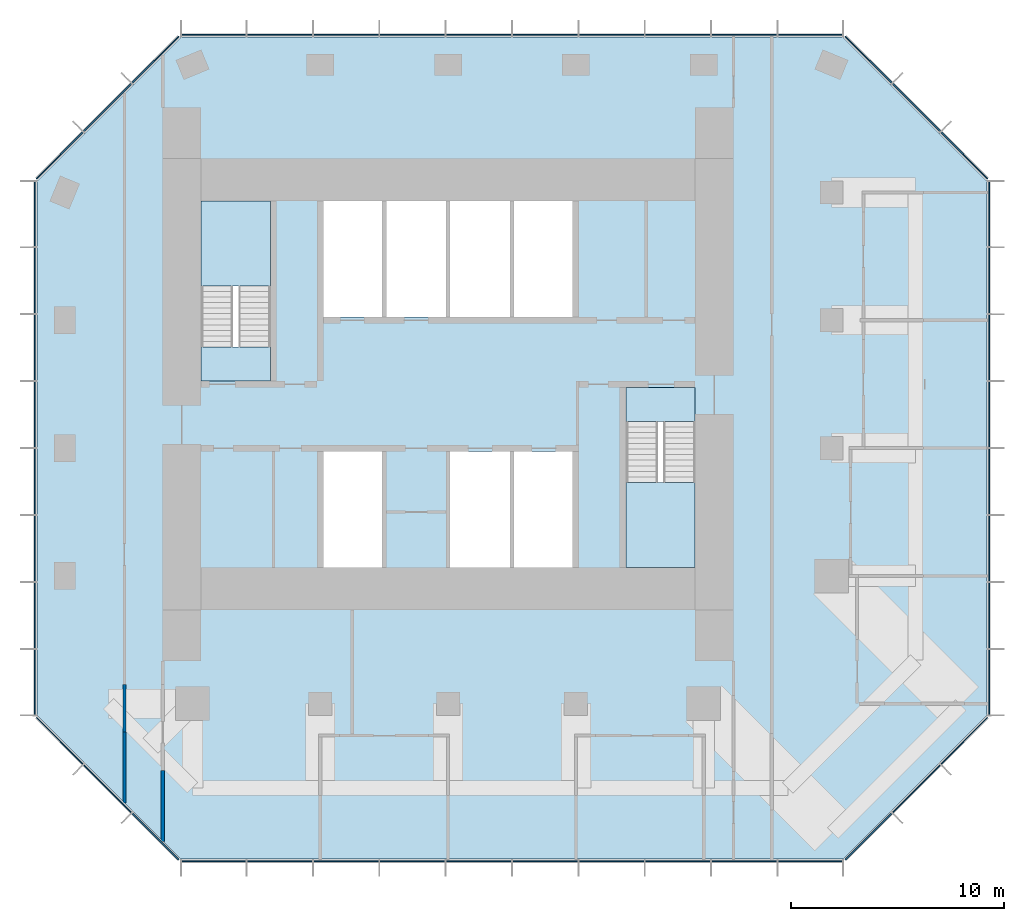
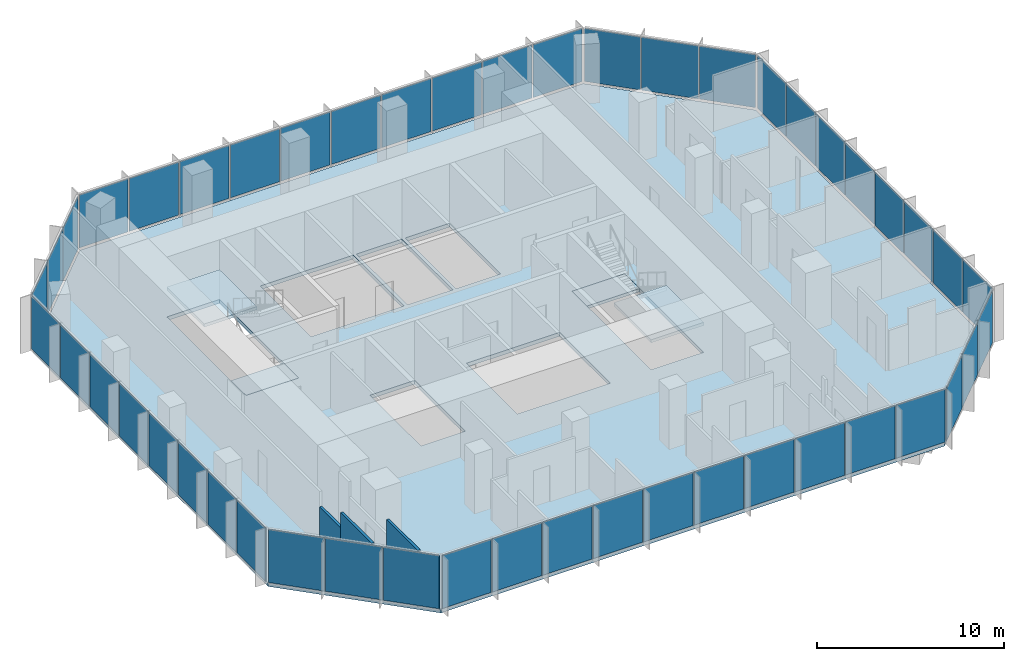
# One storey, part 7 of 11: 48 plates, 5 slabs, 3 walls, 10 elements without a shape of their own.
"""IFC4 building model written with IfcOpenShell, lengths in metres."""

from ifc_helpers import new_model, si_unit, direction, frame, frame_2d, origin, origin_2d, place, context, subcontext, project, spatial, polyline, rectangle, outline, extrude, material, layer, layer_set, type_object, element, aggregate, save


model = new_model("IFC4")

# Units and contexts
model_context = context("Model", 3, precision=1e-05, world=origin(), true_north=direction((0.0, 1.0)))
body_context = subcontext(model_context, "Body", "Model", "MODEL_VIEW")
ifc_project = project(units=[si_unit("LENGTHUNIT", "METRE"), si_unit("AREAUNIT", "SQUARE_METRE"), si_unit("VOLUMEUNIT", "CUBIC_METRE"), si_unit("PLANEANGLEUNIT", "RADIAN"), si_unit("MASSUNIT", "GRAM", prefix="KILO")], contexts=[model_context])

# Site, building, storey
site_placement = place(None, origin())
site = spatial("IfcSite", under=ifc_project, at=site_placement, CompositionType="ELEMENT")
building_placement = place(site_placement, origin())
building = spatial("IfcBuilding", under=site, at=building_placement, Name="Highveld Stack Headquarters", CompositionType="ELEMENT")
storey_placement = place(building_placement, frame((0.0, 0.0, 291.800048828125)))
storey = spatial("IfcBuildingStorey", under=building, at=storey_placement, Name="L72", CompositionType="ELEMENT", Elevation=291.800048828125)

# Curtain wall, plates
ifc_material_1 = material(Name="Aluminium bronze anodised", Category="aluminium")
ifc_layer_1 = layer(ifc_material_1, 0.199951171875)
ifc_layer_set_1 = layer_set([ifc_layer_1], Name="Aluminium bronze anodised")
curtain_wall_type = type_object("IfcCurtainWallType", Name="CW5 EXECUTIVE UNITISED CURTAIN WALL", PredefinedType="NOTDEFINED", material=ifc_layer_set_1)
curtain_wall_1_placement = place(storey_placement, origin())
curtain_wall_1 = element("IfcCurtainWall", 1, at=curtain_wall_1_placement, inside=storey, type_object=curtain_wall_type, Name="Curtain wall CW5 L72 S", PredefinedType="NOTDEFINED")
ifc_material_2 = material(Name="Glass bronze tinted triple glazed unit", Category="glass")
ifc_layer_2 = layer(ifc_material_2, 0.050048828125)
ifc_layer_set_2 = layer_set([ifc_layer_2], Name="Glass bronze tinted triple glazed unit")
plate_type = type_object("IfcPlateType", Name="CW5 PANEL BRONZE TINTED TRIPLE GLAZED UNIT", PredefinedType="CURTAIN_PANEL", material=ifc_layer_set_2)
plate_1_placement = place(storey_placement, frame((-5.005615234375, -19.39990234375, 0.10009765625), z_axis=(0.0, 0.0, 1.0), x_axis=(1.0, 0.0, 0.0)))
plate_1 = element("IfcPlate", 2, at=plate_1_placement, type_object=plate_type, Name="CW5 panel L72 1.1", PredefinedType="CURTAIN_PANEL", context=body_context, shape_type="SweptSolid", body=[
    extrude(rectangle(XDim=3.0185546875, YDim=0.050048828125, at=origin_2d()), origin(), (0.0, 0.0, 1.0), 3.449951171875),
])
plate_2_placement = place(storey_placement, frame((-1.906005859375, -19.39990234375, 0.10009765625), z_axis=(0.0, 0.0, 1.0), x_axis=(1.0, 0.0, 0.0)))
plate_2 = element("IfcPlate", 3, at=plate_2_placement, type_object=plate_type, Name="CW5 panel L72 2.1", PredefinedType="CURTAIN_PANEL", context=body_context, shape_type="SweptSolid", body=[
    extrude(rectangle(XDim=3.051025390625, YDim=0.050048828125, at=origin_2d()), origin(), (0.0, 0.0, 1.0), 3.449951171875),
])
plate_3_placement = place(storey_placement, frame((1.2099609375, -19.39990234375, 0.10009765625), z_axis=(0.0, 0.0, 1.0), x_axis=(1.0, 0.0, 0.0)))
plate_3 = element("IfcPlate", 4, at=plate_3_placement, type_object=plate_type, Name="CW5 panel L72 3.1", PredefinedType="CURTAIN_PANEL", context=body_context, shape_type="SweptSolid", body=[
    extrude(rectangle(XDim=3.051025390625, YDim=0.050048828125, at=origin_2d()), origin(), (0.0, 0.0, 1.0), 3.449951171875),
])
plate_4_placement = place(storey_placement, frame((4.325927734375, -19.39990234375, 0.10009765625), z_axis=(0.0, 0.0, 1.0), x_axis=(1.0, 0.0, 0.0)))
plate_4 = element("IfcPlate", 5, at=plate_4_placement, type_object=plate_type, Name="CW5 panel L72 4.1", PredefinedType="CURTAIN_PANEL", context=body_context, shape_type="SweptSolid", body=[
    extrude(rectangle(XDim=3.051025390625, YDim=0.050048828125, at=origin_2d()), origin(), (0.0, 0.0, 1.0), 3.449951171875),
])
plate_5_placement = place(storey_placement, frame((7.44189453125, -19.39990234375, 0.10009765625), z_axis=(0.0, 0.0, 1.0), x_axis=(1.0, 0.0, 0.0)))
plate_5 = element("IfcPlate", 6, at=plate_5_placement, type_object=plate_type, Name="CW5 panel L72 5.1", PredefinedType="CURTAIN_PANEL", context=body_context, shape_type="SweptSolid", body=[
    extrude(rectangle(XDim=3.051025390625, YDim=0.050048828125, at=origin_2d()), origin(), (0.0, 0.0, 1.0), 3.449951171875),
])
plate_6_placement = place(storey_placement, frame((10.55810546875, -19.39990234375, 0.10009765625), z_axis=(0.0, 0.0, 1.0), x_axis=(1.0, 0.0, 0.0)))
plate_6 = element("IfcPlate", 7, at=plate_6_placement, type_object=plate_type, Name="CW5 panel L72 6.1", PredefinedType="CURTAIN_PANEL", context=body_context, shape_type="SweptSolid", body=[
    extrude(rectangle(XDim=3.051025390625, YDim=0.050048828125, at=origin_2d()), origin(), (0.0, 0.0, 1.0), 3.449951171875),
])
plate_7_placement = place(storey_placement, frame((13.674072265625, -19.39990234375, 0.10009765625), z_axis=(0.0, 0.0, 1.0), x_axis=(1.0, 0.0, 0.0)))
plate_7 = element("IfcPlate", 8, at=plate_7_placement, type_object=plate_type, Name="CW5 panel L72 7.1", PredefinedType="CURTAIN_PANEL", context=body_context, shape_type="SweptSolid", body=[
    extrude(rectangle(XDim=3.051025390625, YDim=0.050048828125, at=origin_2d()), origin(), (0.0, 0.0, 1.0), 3.449951171875),
])
plate_8_placement = place(storey_placement, frame((16.789794921875, -19.39990234375, 0.10009765625), z_axis=(0.0, 0.0, 1.0), x_axis=(1.0, 0.0, 0.0)))
plate_8 = element("IfcPlate", 9, at=plate_8_placement, type_object=plate_type, Name="CW5 panel L72 8.1", PredefinedType="CURTAIN_PANEL", context=body_context, shape_type="SweptSolid", body=[
    extrude(rectangle(XDim=3.051025390625, YDim=0.050048828125, at=origin_2d()), origin(), (0.0, 0.0, 1.0), 3.449951171875),
])
plate_9_placement = place(storey_placement, frame((19.906005859375, -19.39990234375, 0.10009765625), z_axis=(0.0, 0.0, 1.0), x_axis=(1.0, 0.0, 0.0)))
plate_9 = element("IfcPlate", 10, at=plate_9_placement, type_object=plate_type, Name="CW5 panel L72 9.1", PredefinedType="CURTAIN_PANEL", context=body_context, shape_type="SweptSolid", body=[
    extrude(rectangle(XDim=3.051025390625, YDim=0.050048828125, at=origin_2d()), origin(), (0.0, 0.0, 1.0), 3.449951171875),
])
plate_10_placement = place(storey_placement, frame((23.005615234375, -19.39990234375, 0.10009765625), z_axis=(0.0, 0.0, 1.0), x_axis=(1.0, 0.0, 0.0)))
plate_10 = element("IfcPlate", 11, at=plate_10_placement, type_object=plate_type, Name="CW5 panel L72 10.1", PredefinedType="CURTAIN_PANEL", context=body_context, shape_type="SweptSolid", body=[
    extrude(rectangle(XDim=3.0185546875, YDim=0.050048828125, at=origin_2d()), origin(), (0.0, 0.0, 1.0), 3.449951171875),
])
aggregate(curtain_wall_1, [plate_1, plate_2, plate_3, plate_4, plate_5, plate_6, plate_7, plate_8, plate_9, plate_10])

curtain_wall_2_placement = place(storey_placement, origin())
curtain_wall_2 = element("IfcCurtainWall", 12, at=curtain_wall_2_placement, inside=storey, type_object=curtain_wall_type, Name="Curtain wall CW5 L72 SE", PredefinedType="NOTDEFINED")
plate_11_placement = place(storey_placement, frame((25.740478515625, -18.239501953125, 0.10009765625), z_axis=(0.0, 0.0, 1.0), x_axis=(0.707106781187, 0.707106781187, 0.0)))
plate_11 = element("IfcPlate", 13, at=plate_11_placement, type_object=plate_type, Name="CW5 panel L72 1.1", PredefinedType="CURTAIN_PANEL", context=body_context, shape_type="SweptSolid", body=[
    extrude(rectangle(XDim=3.08251953125, YDim=0.050048828125, at=origin_2d()), origin(), (0.0, 0.0, 1.0), 3.449951171875),
])
plate_12_placement = place(storey_placement, frame((27.989990234375, -15.989990234375, 0.10009765625), z_axis=(0.0, 0.0, 1.0), x_axis=(0.707106781187, 0.707106781187, 0.0)))
plate_12 = element("IfcPlate", 14, at=plate_12_placement, type_object=plate_type, Name="CW5 panel L72 2.1", PredefinedType="CURTAIN_PANEL", context=body_context, shape_type="SweptSolid", body=[
    extrude(rectangle(XDim=3.14990234375, YDim=0.050048828125, at=origin_2d()), origin(), (0.0, 0.0, 1.0), 3.449951171875),
])
plate_13_placement = place(storey_placement, frame((30.239501953125, -13.740478515625, 0.10009765625), z_axis=(0.0, 0.0, 1.0), x_axis=(0.707106781187, 0.707106781187, 0.0)))
plate_13 = element("IfcPlate", 15, at=plate_13_placement, type_object=plate_type, Name="CW5 panel L72 3.1", PredefinedType="CURTAIN_PANEL", context=body_context, shape_type="SweptSolid", body=[
    extrude(rectangle(XDim=3.08251953125, YDim=0.050048828125, at=origin_2d()), origin(), (0.0, 0.0, 1.0), 3.449951171875),
])
aggregate(curtain_wall_2, [plate_11, plate_12, plate_13])

curtain_wall_3_placement = place(storey_placement, origin())
curtain_wall_3 = element("IfcCurtainWall", 16, at=curtain_wall_3_placement, inside=storey, type_object=curtain_wall_type, Name="Curtain wall CW5 L72 E", PredefinedType="NOTDEFINED")
plate_14_placement = place(storey_placement, frame((31.39990234375, -10.9912109375, 0.10009765625), z_axis=(0.0, 0.0, 1.0), x_axis=(0.0, 1.0, 0.0)))
plate_14 = element("IfcPlate", 17, at=plate_14_placement, type_object=plate_type, Name="CW5 panel L72 1.1", PredefinedType="CURTAIN_PANEL", context=body_context, shape_type="SweptSolid", body=[
    extrude(rectangle(XDim=3.047607421875, YDim=0.050048828125, at=origin_2d()), origin(), (0.0, 0.0, 1.0), 3.449951171875),
])
plate_15_placement = place(storey_placement, frame((31.39990234375, -7.8623046875, 0.10009765625), z_axis=(0.0, 0.0, 1.0), x_axis=(0.0, 1.0, 0.0)))
plate_15 = element("IfcPlate", 18, at=plate_15_placement, type_object=plate_type, Name="CW5 panel L72 2.1", PredefinedType="CURTAIN_PANEL", context=body_context, shape_type="SweptSolid", body=[
    extrude(rectangle(XDim=3.080078125, YDim=0.050048828125, at=origin_2d()), origin(), (0.0, 0.0, 1.0), 3.449951171875),
])
plate_16_placement = place(storey_placement, frame((31.39990234375, -4.717529296875, 0.10009765625), z_axis=(0.0, 0.0, 1.0), x_axis=(0.0, 1.0, 0.0)))
plate_16 = element("IfcPlate", 19, at=plate_16_placement, type_object=plate_type, Name="CW5 panel L72 3.1", PredefinedType="CURTAIN_PANEL", context=body_context, shape_type="SweptSolid", body=[
    extrude(rectangle(XDim=3.080078125, YDim=0.050048828125, at=origin_2d()), origin(), (0.0, 0.0, 1.0), 3.449951171875),
])
plate_17_placement = place(storey_placement, frame((31.39990234375, -1.572509765625, 0.10009765625), z_axis=(0.0, 0.0, 1.0), x_axis=(0.0, 1.0, 0.0)))
plate_17 = element("IfcPlate", 20, at=plate_17_placement, type_object=plate_type, Name="CW5 panel L72 4.1", PredefinedType="CURTAIN_PANEL", context=body_context, shape_type="SweptSolid", body=[
    extrude(rectangle(XDim=3.080078125, YDim=0.050048828125, at=origin_2d()), origin(), (0.0, 0.0, 1.0), 3.449951171875),
])
plate_18_placement = place(storey_placement, frame((31.39990234375, 1.572509765625, 0.10009765625), z_axis=(0.0, 0.0, 1.0), x_axis=(0.0, 1.0, 0.0)))
plate_18 = element("IfcPlate", 21, at=plate_18_placement, type_object=plate_type, Name="CW5 panel L72 5.1", PredefinedType="CURTAIN_PANEL", context=body_context, shape_type="SweptSolid", body=[
    extrude(rectangle(XDim=3.080078125, YDim=0.050048828125, at=origin_2d()), origin(), (0.0, 0.0, 1.0), 3.449951171875),
])
plate_19_placement = place(storey_placement, frame((31.39990234375, 4.717529296875, 0.10009765625), z_axis=(0.0, 0.0, 1.0), x_axis=(0.0, 1.0, 0.0)))
plate_19 = element("IfcPlate", 22, at=plate_19_placement, type_object=plate_type, Name="CW5 panel L72 6.1", PredefinedType="CURTAIN_PANEL", context=body_context, shape_type="SweptSolid", body=[
    extrude(rectangle(XDim=3.080078125, YDim=0.050048828125, at=origin_2d()), origin(), (0.0, 0.0, 1.0), 3.449951171875),
])
plate_20_placement = place(storey_placement, frame((31.39990234375, 7.8623046875, 0.10009765625), z_axis=(0.0, 0.0, 1.0), x_axis=(0.0, 1.0, 0.0)))
plate_20 = element("IfcPlate", 23, at=plate_20_placement, type_object=plate_type, Name="CW5 panel L72 7.1", PredefinedType="CURTAIN_PANEL", context=body_context, shape_type="SweptSolid", body=[
    extrude(rectangle(XDim=3.080078125, YDim=0.050048828125, at=origin_2d()), origin(), (0.0, 0.0, 1.0), 3.449951171875),
])
plate_21_placement = place(storey_placement, frame((31.39990234375, 10.9912109375, 0.10009765625), z_axis=(0.0, 0.0, 1.0), x_axis=(0.0, 1.0, 0.0)))
plate_21 = element("IfcPlate", 24, at=plate_21_placement, type_object=plate_type, Name="CW5 panel L72 8.1", PredefinedType="CURTAIN_PANEL", context=body_context, shape_type="SweptSolid", body=[
    extrude(rectangle(XDim=3.047607421875, YDim=0.050048828125, at=origin_2d()), origin(), (0.0, 0.0, 1.0), 3.449951171875),
])
aggregate(curtain_wall_3, [plate_14, plate_15, plate_16, plate_17, plate_18, plate_19, plate_20, plate_21])

curtain_wall_4_placement = place(storey_placement, origin())
curtain_wall_4 = element("IfcCurtainWall", 25, at=curtain_wall_4_placement, inside=storey, type_object=curtain_wall_type, Name="Curtain wall CW5 L72 NE", PredefinedType="NOTDEFINED")
plate_22_placement = place(storey_placement, frame((30.239501953125, 13.740478515625, 0.10009765625), z_axis=(0.0, 0.0, 1.0), x_axis=(-0.707106781187, 0.707106781187, 0.0)))
plate_22 = element("IfcPlate", 26, at=plate_22_placement, type_object=plate_type, Name="CW5 panel L72 1.1", PredefinedType="CURTAIN_PANEL", context=body_context, shape_type="SweptSolid", body=[
    extrude(rectangle(XDim=3.08251953125, YDim=0.050048828125, at=origin_2d()), origin(), (0.0, 0.0, 1.0), 3.449951171875),
])
plate_23_placement = place(storey_placement, frame((27.989990234375, 15.989990234375, 0.10009765625), z_axis=(0.0, 0.0, 1.0), x_axis=(-0.707106781187, 0.707106781187, 0.0)))
plate_23 = element("IfcPlate", 27, at=plate_23_placement, type_object=plate_type, Name="CW5 panel L72 2.1", PredefinedType="CURTAIN_PANEL", context=body_context, shape_type="SweptSolid", body=[
    extrude(rectangle(XDim=3.14990234375, YDim=0.050048828125, at=origin_2d()), origin(), (0.0, 0.0, 1.0), 3.449951171875),
])
plate_24_placement = place(storey_placement, frame((25.740478515625, 18.239501953125, 0.10009765625), z_axis=(0.0, 0.0, 1.0), x_axis=(-0.707106781187, 0.707106781187, 0.0)))
plate_24 = element("IfcPlate", 28, at=plate_24_placement, type_object=plate_type, Name="CW5 panel L72 3.1", PredefinedType="CURTAIN_PANEL", context=body_context, shape_type="SweptSolid", body=[
    extrude(rectangle(XDim=3.08251953125, YDim=0.050048828125, at=origin_2d()), origin(), (0.0, 0.0, 1.0), 3.449951171875),
])
aggregate(curtain_wall_4, [plate_22, plate_23, plate_24])

curtain_wall_5_placement = place(storey_placement, origin())
curtain_wall_5 = element("IfcCurtainWall", 29, at=curtain_wall_5_placement, inside=storey, type_object=curtain_wall_type, Name="Curtain wall CW5 L72 N", PredefinedType="NOTDEFINED")
plate_25_placement = place(storey_placement, frame((23.005615234375, 19.39990234375, 0.10009765625), z_axis=(0.0, 0.0, 1.0), x_axis=(-1.0, 0.0, 0.0)))
plate_25 = element("IfcPlate", 30, at=plate_25_placement, type_object=plate_type, Name="CW5 panel L72 1.1", PredefinedType="CURTAIN_PANEL", context=body_context, shape_type="SweptSolid", body=[
    extrude(rectangle(XDim=3.0185546875, YDim=0.050048828125, at=origin_2d()), origin(), (0.0, 0.0, 1.0), 3.449951171875),
])
plate_26_placement = place(storey_placement, frame((19.906005859375, 19.39990234375, 0.10009765625), z_axis=(0.0, 0.0, 1.0), x_axis=(-1.0, 0.0, 0.0)))
plate_26 = element("IfcPlate", 31, at=plate_26_placement, type_object=plate_type, Name="CW5 panel L72 2.1", PredefinedType="CURTAIN_PANEL", context=body_context, shape_type="SweptSolid", body=[
    extrude(rectangle(XDim=3.051025390625, YDim=0.050048828125, at=origin_2d()), origin(), (0.0, 0.0, 1.0), 3.449951171875),
])
plate_27_placement = place(storey_placement, frame((16.7900390625, 19.39990234375, 0.10009765625), z_axis=(0.0, 0.0, 1.0), x_axis=(-1.0, 0.0, 0.0)))
plate_27 = element("IfcPlate", 32, at=plate_27_placement, type_object=plate_type, Name="CW5 panel L72 3.1", PredefinedType="CURTAIN_PANEL", context=body_context, shape_type="SweptSolid", body=[
    extrude(rectangle(XDim=3.051025390625, YDim=0.050048828125, at=origin_2d()), origin(), (0.0, 0.0, 1.0), 3.449951171875),
])
plate_28_placement = place(storey_placement, frame((13.674072265625, 19.39990234375, 0.10009765625), z_axis=(0.0, 0.0, 1.0), x_axis=(-1.0, 0.0, 0.0)))
plate_28 = element("IfcPlate", 33, at=plate_28_placement, type_object=plate_type, Name="CW5 panel L72 4.1", PredefinedType="CURTAIN_PANEL", context=body_context, shape_type="SweptSolid", body=[
    extrude(rectangle(XDim=3.051025390625, YDim=0.050048828125, at=origin_2d()), origin(), (0.0, 0.0, 1.0), 3.449951171875),
])
plate_29_placement = place(storey_placement, frame((10.55810546875, 19.39990234375, 0.10009765625), z_axis=(0.0, 0.0, 1.0), x_axis=(-1.0, 0.0, 0.0)))
plate_29 = element("IfcPlate", 34, at=plate_29_placement, type_object=plate_type, Name="CW5 panel L72 5.1", PredefinedType="CURTAIN_PANEL", context=body_context, shape_type="SweptSolid", body=[
    extrude(rectangle(XDim=3.051025390625, YDim=0.050048828125, at=origin_2d()), origin(), (0.0, 0.0, 1.0), 3.449951171875),
])
plate_30_placement = place(storey_placement, frame((7.44189453125, 19.39990234375, 0.10009765625), z_axis=(0.0, 0.0, 1.0), x_axis=(-1.0, 0.0, 0.0)))
plate_30 = element("IfcPlate", 35, at=plate_30_placement, type_object=plate_type, Name="CW5 panel L72 6.1", PredefinedType="CURTAIN_PANEL", context=body_context, shape_type="SweptSolid", body=[
    extrude(rectangle(XDim=3.051025390625, YDim=0.050048828125, at=origin_2d()), origin(), (0.0, 0.0, 1.0), 3.449951171875),
])
plate_31_placement = place(storey_placement, frame((4.325927734375, 19.39990234375, 0.10009765625), z_axis=(0.0, 0.0, 1.0), x_axis=(-1.0, 0.0, 0.0)))
plate_31 = element("IfcPlate", 36, at=plate_31_placement, type_object=plate_type, Name="CW5 panel L72 7.1", PredefinedType="CURTAIN_PANEL", context=body_context, shape_type="SweptSolid", body=[
    extrude(rectangle(XDim=3.051025390625, YDim=0.050048828125, at=origin_2d()), origin(), (0.0, 0.0, 1.0), 3.449951171875),
])
plate_32_placement = place(storey_placement, frame((1.210205078125, 19.39990234375, 0.10009765625), z_axis=(0.0, 0.0, 1.0), x_axis=(-1.0, 0.0, 0.0)))
plate_32 = element("IfcPlate", 37, at=plate_32_placement, type_object=plate_type, Name="CW5 panel L72 8.1", PredefinedType="CURTAIN_PANEL", context=body_context, shape_type="SweptSolid", body=[
    extrude(rectangle(XDim=3.051025390625, YDim=0.050048828125, at=origin_2d()), origin(), (0.0, 0.0, 1.0), 3.449951171875),
])
plate_33_placement = place(storey_placement, frame((-1.906005859375, 19.39990234375, 0.10009765625), z_axis=(0.0, 0.0, 1.0), x_axis=(-1.0, 0.0, 0.0)))
plate_33 = element("IfcPlate", 38, at=plate_33_placement, type_object=plate_type, Name="CW5 panel L72 9.1", PredefinedType="CURTAIN_PANEL", context=body_context, shape_type="SweptSolid", body=[
    extrude(rectangle(XDim=3.051025390625, YDim=0.050048828125, at=origin_2d()), origin(), (0.0, 0.0, 1.0), 3.449951171875),
])
plate_34_placement = place(storey_placement, frame((-5.005615234375, 19.39990234375, 0.10009765625), z_axis=(0.0, 0.0, 1.0), x_axis=(-1.0, 0.0, 0.0)))
plate_34 = element("IfcPlate", 39, at=plate_34_placement, type_object=plate_type, Name="CW5 panel L72 10.1", PredefinedType="CURTAIN_PANEL", context=body_context, shape_type="SweptSolid", body=[
    extrude(rectangle(XDim=3.0185546875, YDim=0.050048828125, at=origin_2d()), origin(), (0.0, 0.0, 1.0), 3.449951171875),
])
aggregate(curtain_wall_5, [plate_25, plate_26, plate_27, plate_28, plate_29, plate_30, plate_31, plate_32, plate_33, plate_34])

curtain_wall_6_placement = place(storey_placement, origin())
curtain_wall_6 = element("IfcCurtainWall", 40, at=curtain_wall_6_placement, inside=storey, type_object=curtain_wall_type, Name="Curtain wall CW5 L72 NW", PredefinedType="NOTDEFINED")
plate_35_placement = place(storey_placement, frame((-7.740478515625, 18.239501953125, 0.10009765625), z_axis=(0.0, 0.0, 1.0), x_axis=(-0.707106781187, -0.707106781187, 0.0)))
plate_35 = element("IfcPlate", 41, at=plate_35_placement, type_object=plate_type, Name="CW5 panel L72 1.1", PredefinedType="CURTAIN_PANEL", context=body_context, shape_type="SweptSolid", body=[
    extrude(rectangle(XDim=3.08251953125, YDim=0.050048828125, at=origin_2d()), origin(), (0.0, 0.0, 1.0), 3.449951171875),
])
plate_36_placement = place(storey_placement, frame((-9.989990234375, 15.989990234375, 0.10009765625), z_axis=(0.0, 0.0, 1.0), x_axis=(-0.707106781187, -0.707106781187, 0.0)))
plate_36 = element("IfcPlate", 42, at=plate_36_placement, type_object=plate_type, Name="CW5 panel L72 2.1", PredefinedType="CURTAIN_PANEL", context=body_context, shape_type="SweptSolid", body=[
    extrude(rectangle(XDim=3.14990234375, YDim=0.050048828125, at=origin_2d()), origin(), (0.0, 0.0, 1.0), 3.449951171875),
])
plate_37_placement = place(storey_placement, frame((-12.239501953125, 13.740478515625, 0.10009765625), z_axis=(0.0, 0.0, 1.0), x_axis=(-0.707106781187, -0.707106781187, 0.0)))
plate_37 = element("IfcPlate", 43, at=plate_37_placement, type_object=plate_type, Name="CW5 panel L72 3.1", PredefinedType="CURTAIN_PANEL", context=body_context, shape_type="SweptSolid", body=[
    extrude(rectangle(XDim=3.08251953125, YDim=0.050048828125, at=origin_2d()), origin(), (0.0, 0.0, 1.0), 3.449951171875),
])
aggregate(curtain_wall_6, [plate_35, plate_36, plate_37])

curtain_wall_7_placement = place(storey_placement, origin())
curtain_wall_7 = element("IfcCurtainWall", 44, at=curtain_wall_7_placement, inside=storey, type_object=curtain_wall_type, Name="Curtain wall CW5 L72 W", PredefinedType="NOTDEFINED")
plate_38_placement = place(storey_placement, frame((-13.39990234375, 10.9912109375, 0.10009765625), z_axis=(0.0, 0.0, 1.0), x_axis=(0.0, -1.0, 0.0)))
plate_38 = element("IfcPlate", 45, at=plate_38_placement, type_object=plate_type, Name="CW5 panel L72 1.1", PredefinedType="CURTAIN_PANEL", context=body_context, shape_type="SweptSolid", body=[
    extrude(rectangle(XDim=3.047607421875, YDim=0.050048828125, at=origin_2d()), origin(), (0.0, 0.0, 1.0), 3.449951171875),
])
plate_39_placement = place(storey_placement, frame((-13.39990234375, 7.8623046875, 0.10009765625), z_axis=(0.0, 0.0, 1.0), x_axis=(0.0, -1.0, 0.0)))
plate_39 = element("IfcPlate", 46, at=plate_39_placement, type_object=plate_type, Name="CW5 panel L72 2.1", PredefinedType="CURTAIN_PANEL", context=body_context, shape_type="SweptSolid", body=[
    extrude(rectangle(XDim=3.080078125, YDim=0.050048828125, at=origin_2d()), origin(), (0.0, 0.0, 1.0), 3.449951171875),
])
plate_40_placement = place(storey_placement, frame((-13.39990234375, 4.717529296875, 0.10009765625), z_axis=(0.0, 0.0, 1.0), x_axis=(0.0, -1.0, 0.0)))
plate_40 = element("IfcPlate", 47, at=plate_40_placement, type_object=plate_type, Name="CW5 panel L72 3.1", PredefinedType="CURTAIN_PANEL", context=body_context, shape_type="SweptSolid", body=[
    extrude(rectangle(XDim=3.080078125, YDim=0.050048828125, at=origin_2d()), origin(), (0.0, 0.0, 1.0), 3.449951171875),
])
plate_41_placement = place(storey_placement, frame((-13.39990234375, 1.572509765625, 0.10009765625), z_axis=(0.0, 0.0, 1.0), x_axis=(0.0, -1.0, 0.0)))
plate_41 = element("IfcPlate", 48, at=plate_41_placement, type_object=plate_type, Name="CW5 panel L72 4.1", PredefinedType="CURTAIN_PANEL", context=body_context, shape_type="SweptSolid", body=[
    extrude(rectangle(XDim=3.080078125, YDim=0.050048828125, at=origin_2d()), origin(), (0.0, 0.0, 1.0), 3.449951171875),
])
plate_42_placement = place(storey_placement, frame((-13.39990234375, -1.572509765625, 0.10009765625), z_axis=(0.0, 0.0, 1.0), x_axis=(0.0, -1.0, 0.0)))
plate_42 = element("IfcPlate", 49, at=plate_42_placement, type_object=plate_type, Name="CW5 panel L72 5.1", PredefinedType="CURTAIN_PANEL", context=body_context, shape_type="SweptSolid", body=[
    extrude(rectangle(XDim=3.080078125, YDim=0.050048828125, at=origin_2d()), origin(), (0.0, 0.0, 1.0), 3.449951171875),
])
plate_43_placement = place(storey_placement, frame((-13.39990234375, -4.717529296875, 0.10009765625), z_axis=(0.0, 0.0, 1.0), x_axis=(0.0, -1.0, 0.0)))
plate_43 = element("IfcPlate", 50, at=plate_43_placement, type_object=plate_type, Name="CW5 panel L72 6.1", PredefinedType="CURTAIN_PANEL", context=body_context, shape_type="SweptSolid", body=[
    extrude(rectangle(XDim=3.080078125, YDim=0.050048828125, at=origin_2d()), origin(), (0.0, 0.0, 1.0), 3.449951171875),
])
plate_44_placement = place(storey_placement, frame((-13.39990234375, -7.8623046875, 0.10009765625), z_axis=(0.0, 0.0, 1.0), x_axis=(0.0, -1.0, 0.0)))
plate_44 = element("IfcPlate", 51, at=plate_44_placement, type_object=plate_type, Name="CW5 panel L72 7.1", PredefinedType="CURTAIN_PANEL", context=body_context, shape_type="SweptSolid", body=[
    extrude(rectangle(XDim=3.080078125, YDim=0.050048828125, at=origin_2d()), origin(), (0.0, 0.0, 1.0), 3.449951171875),
])
plate_45_placement = place(storey_placement, frame((-13.39990234375, -10.9912109375, 0.10009765625), z_axis=(0.0, 0.0, 1.0), x_axis=(0.0, -1.0, 0.0)))
plate_45 = element("IfcPlate", 52, at=plate_45_placement, type_object=plate_type, Name="CW5 panel L72 8.1", PredefinedType="CURTAIN_PANEL", context=body_context, shape_type="SweptSolid", body=[
    extrude(rectangle(XDim=3.047607421875, YDim=0.050048828125, at=origin_2d()), origin(), (0.0, 0.0, 1.0), 3.449951171875),
])
aggregate(curtain_wall_7, [plate_38, plate_39, plate_40, plate_41, plate_42, plate_43, plate_44, plate_45])

curtain_wall_8_placement = place(storey_placement, origin())
curtain_wall_8 = element("IfcCurtainWall", 53, at=curtain_wall_8_placement, inside=storey, type_object=curtain_wall_type, Name="Curtain wall CW5 L72 SW", PredefinedType="NOTDEFINED")
plate_46_placement = place(storey_placement, frame((-12.239501953125, -13.740478515625, 0.10009765625), z_axis=(0.0, 0.0, 1.0), x_axis=(0.707106781187, -0.707106781187, 0.0)))
plate_46 = element("IfcPlate", 54, at=plate_46_placement, type_object=plate_type, Name="CW5 panel L72 1.1", PredefinedType="CURTAIN_PANEL", context=body_context, shape_type="SweptSolid", body=[
    extrude(rectangle(XDim=3.08251953125, YDim=0.050048828125, at=origin_2d()), origin(), (0.0, 0.0, 1.0), 3.449951171875),
])
plate_47_placement = place(storey_placement, frame((-9.989990234375, -15.989990234375, 0.10009765625), z_axis=(0.0, 0.0, 1.0), x_axis=(0.707106781187, -0.707106781187, 0.0)))
plate_47 = element("IfcPlate", 55, at=plate_47_placement, type_object=plate_type, Name="CW5 panel L72 2.1", PredefinedType="CURTAIN_PANEL", context=body_context, shape_type="SweptSolid", body=[
    extrude(rectangle(XDim=3.14990234375, YDim=0.050048828125, at=origin_2d()), origin(), (0.0, 0.0, 1.0), 3.449951171875),
])
plate_48_placement = place(storey_placement, frame((-7.740478515625, -18.239501953125, 0.10009765625), z_axis=(0.0, 0.0, 1.0), x_axis=(0.707106781187, -0.707106781187, 0.0)))
plate_48 = element("IfcPlate", 56, at=plate_48_placement, type_object=plate_type, Name="CW5 panel L72 3.1", PredefinedType="CURTAIN_PANEL", context=body_context, shape_type="SweptSolid", body=[
    extrude(rectangle(XDim=3.08251953125, YDim=0.050048828125, at=origin_2d()), origin(), (0.0, 0.0, 1.0), 3.449951171875),
])
aggregate(curtain_wall_8, [plate_46, plate_47, plate_48])

# Slab
ifc_material_3 = material(Name="Concrete C60/75", Category="concrete")
ifc_layer_3 = layer(ifc_material_3, 0.25)
ifc_layer_set_3 = layer_set([ifc_layer_3], Name="Concrete C60/75")
slab_type_1 = type_object("IfcSlabType", Name="PT FLAT SLAB 250", PredefinedType="FLOOR", material=ifc_layer_set_3)
slab_1_placement = place(storey_placement, frame((0.0, 0.0, -0.25)))
element("IfcSlab", 57, at=slab_1_placement, inside=storey, type_object=slab_type_1, Name="Floor slab L72", PredefinedType="FLOOR", context=body_context, shape_type="SweptSolid", body=[
    extrude(outline(polyline([(-6.53857421875, -19.300048828125), (24.53857421875, -19.300048828125), (31.300048828125, -12.53857421875), (31.300048828125, 12.53857421875), (24.53857421875, 19.300048828125), (-6.53857421875, 19.300048828125), (-13.300048828125, 12.53857421875), (-13.300048828125, -12.53857421875), (-6.53857421875, -19.300048828125)]), holes=[polyline([(0.14990234375, 6.14990234375), (5.89990234375, 6.14990234375), (5.89990234375, 11.60009765625), (0.14990234375, 11.60009765625), (0.14990234375, 6.14990234375)]), polyline([(9.10009765625, 6.14990234375), (11.85009765625, 6.14990234375), (11.85009765625, 11.60009765625), (9.10009765625, 11.60009765625), (9.10009765625, 6.14990234375)]), polyline([(6.10009765625, 6.14990234375), (8.89990234375, 6.14990234375), (8.89990234375, 11.60009765625), (6.10009765625, 11.60009765625), (6.10009765625, 6.14990234375)]), polyline([(6.10009765625, -5.60009765625), (11.85009765625, -5.60009765625), (11.85009765625, -0.14990234375), (6.10009765625, -0.14990234375), (6.10009765625, -5.60009765625)]), polyline([(0.14990234375, -5.60009765625), (2.89990234375, -5.60009765625), (2.89990234375, -0.14990234375), (0.14990234375, -0.14990234375), (0.14990234375, -5.60009765625)]), polyline([(-5.60009765625, 3.14990234375), (-2.35009765625, 3.14990234375), (-2.35009765625, 11.60009765625), (-5.60009765625, 11.60009765625), (-5.60009765625, 3.14990234375)]), polyline([(14.35009765625, -5.60009765625), (17.60009765625, -5.60009765625), (17.60009765625, 2.85009765625), (14.35009765625, 2.85009765625), (14.35009765625, -5.60009765625)])]), origin(), (0.0, 0.0, 1.0), 0.25),
])

# Stair, slabs
ifc_material_4 = material(Name="Concrete C40/50, precast", Category="concrete")
stair_type_1 = type_object("IfcStairType", Name="STAIR S1 HALF TURN 1500", PredefinedType="HALF_TURN_STAIR", material=ifc_material_4)
stair_1_placement = place(storey_placement, origin())
stair_1 = element("IfcStair", 58, at=stair_1_placement, inside=storey, type_object=stair_type_1, Name="Stair S1 L72", PredefinedType="HALF_TURN_STAIR")
ifc_material_5 = material(Name="Concrete C40/50, precast", Category="concrete")
ifc_layer_4 = layer(ifc_material_5, 0.199951171875)
ifc_layer_set_4 = layer_set([ifc_layer_4], Name="Concrete C40/50, precast")
slab_type_2 = type_object("IfcSlabType", Name="STAIR LANDING 200", PredefinedType="LANDING", material=ifc_layer_set_4)
slab_2_placement = place(storey_placement, frame((0.0, 0.0, 1.75)))
slab_2 = element("IfcSlab", 59, at=slab_2_placement, type_object=slab_type_2, Name="S1 landing 1", PredefinedType="LANDING", context=body_context, shape_type="SweptSolid", body=[
    extrude(outline(polyline([(-5.60009765625, 7.610107421875), (-2.35009765625, 7.610107421875), (-2.35009765625, 11.60009765625), (-5.60009765625, 11.60009765625), (-5.60009765625, 7.610107421875)])), origin(), (0.0, 0.0, 1.0), 0.199951171875),
])
slab_3_placement = place(storey_placement, frame((0.0, 0.0, -0.199951171875)))
slab_3 = element("IfcSlab", 60, at=slab_3_placement, type_object=slab_type_2, Name="S1 landing 2", PredefinedType="LANDING", context=body_context, shape_type="SweptSolid", body=[
    extrude(outline(polyline([(-5.60009765625, 3.14990234375), (-2.35009765625, 3.14990234375), (-2.35009765625, 4.75), (-5.60009765625, 4.75), (-5.60009765625, 3.14990234375)])), origin(), (0.0, 0.0, 1.0), 0.199951171875),
])
aggregate(stair_1, [slab_2, slab_3])

ifc_material_6 = material(Name="Concrete C40/50, precast", Category="concrete")
stair_type_2 = type_object("IfcStairType", Name="STAIR S2 HALF TURN 1500", PredefinedType="HALF_TURN_STAIR", material=ifc_material_6)
stair_2_placement = place(storey_placement, origin())
stair_2 = element("IfcStair", 61, at=stair_2_placement, inside=storey, type_object=stair_type_2, Name="Stair S2 L72", PredefinedType="HALF_TURN_STAIR")
slab_4_placement = place(storey_placement, frame((0.0, 0.0, 1.75)))
slab_4 = element("IfcSlab", 62, at=slab_4_placement, type_object=slab_type_2, Name="S2 landing 1", PredefinedType="LANDING", context=body_context, shape_type="SweptSolid", body=[
    extrude(outline(polyline([(14.35009765625, -5.60009765625), (17.60009765625, -5.60009765625), (17.60009765625, -1.610107421875), (14.35009765625, -1.610107421875), (14.35009765625, -5.60009765625)])), origin(), (0.0, 0.0, 1.0), 0.199951171875),
])
slab_5_placement = place(storey_placement, frame((0.0, 0.0, -0.199951171875)))
slab_5 = element("IfcSlab", 63, at=slab_5_placement, type_object=slab_type_2, Name="S2 landing 2", PredefinedType="LANDING", context=body_context, shape_type="SweptSolid", body=[
    extrude(outline(polyline([(14.35009765625, 1.25), (17.60009765625, 1.25), (17.60009765625, 2.85009765625), (14.35009765625, 2.85009765625), (14.35009765625, 1.25)])), origin(), (0.0, 0.0, 1.0), 0.199951171875),
])
aggregate(stair_2, [slab_4, slab_5])

# Walls
ifc_material_7 = material(Name="Gypsum plasterboard on steel studs", Category="steel")
ifc_layer_5 = layer(ifc_material_7, 0.14990234375)
ifc_layer_set_5 = layer_set([ifc_layer_5], Name="Gypsum plasterboard on steel studs")
wall_type = type_object("IfcWallType", Name="PARTITION 150 PLASTERBOARD", PredefinedType="PARTITIONING", material=ifc_layer_set_5)
wall_1_placement = place(storey_placement, frame((-9.199951171875, -16.6640625, 0.0), z_axis=(0.0, 0.0, 1.0), x_axis=(0.0, 1.0, 0.0)))
element("IfcWall", 64, at=wall_1_placement, inside=storey, type_object=wall_type, Name="Partition office neighbourhood L72", PredefinedType="PARTITIONING", context=body_context, shape_type="SweptSolid", body=[
    extrude(rectangle(XDim=3.323974609375, YDim=0.14990234375, at=frame_2d((1.662109375, 0.0))), origin(), (0.0, 0.0, 1.0), 3.64990234375),
])
wall_2_placement = place(storey_placement, frame((-9.199951171875, -13.340087890625, 0.0), z_axis=(0.0, 0.0, 1.0), x_axis=(0.0, 1.0, 0.0)))
element("IfcWall", 65, at=wall_2_placement, inside=storey, type_object=wall_type, Name="Partition office neighbourhood L72", PredefinedType="PARTITIONING", context=body_context, shape_type="SweptSolid", body=[
    extrude(rectangle(XDim=2.25, YDim=0.14990234375, at=frame_2d((1.125, 0.0))), origin(), (0.0, 0.0, 1.0), 2.64990234375),
])
wall_3_placement = place(storey_placement, frame((-7.39990234375, -18.464111328125, 0.0), z_axis=(0.0, 0.0, 1.0), x_axis=(0.0, 1.0, 0.0)))
element("IfcWall", 66, at=wall_3_placement, inside=storey, type_object=wall_type, Name="Partition office neighbourhood L72", PredefinedType="PARTITIONING", context=body_context, shape_type="SweptSolid", body=[
    extrude(rectangle(XDim=3.32421875, YDim=0.14990234375, at=frame_2d((1.662109375, 0.0))), origin(), (0.0, 0.0, 1.0), 3.64990234375),
])

save(model, "model.ifc")
